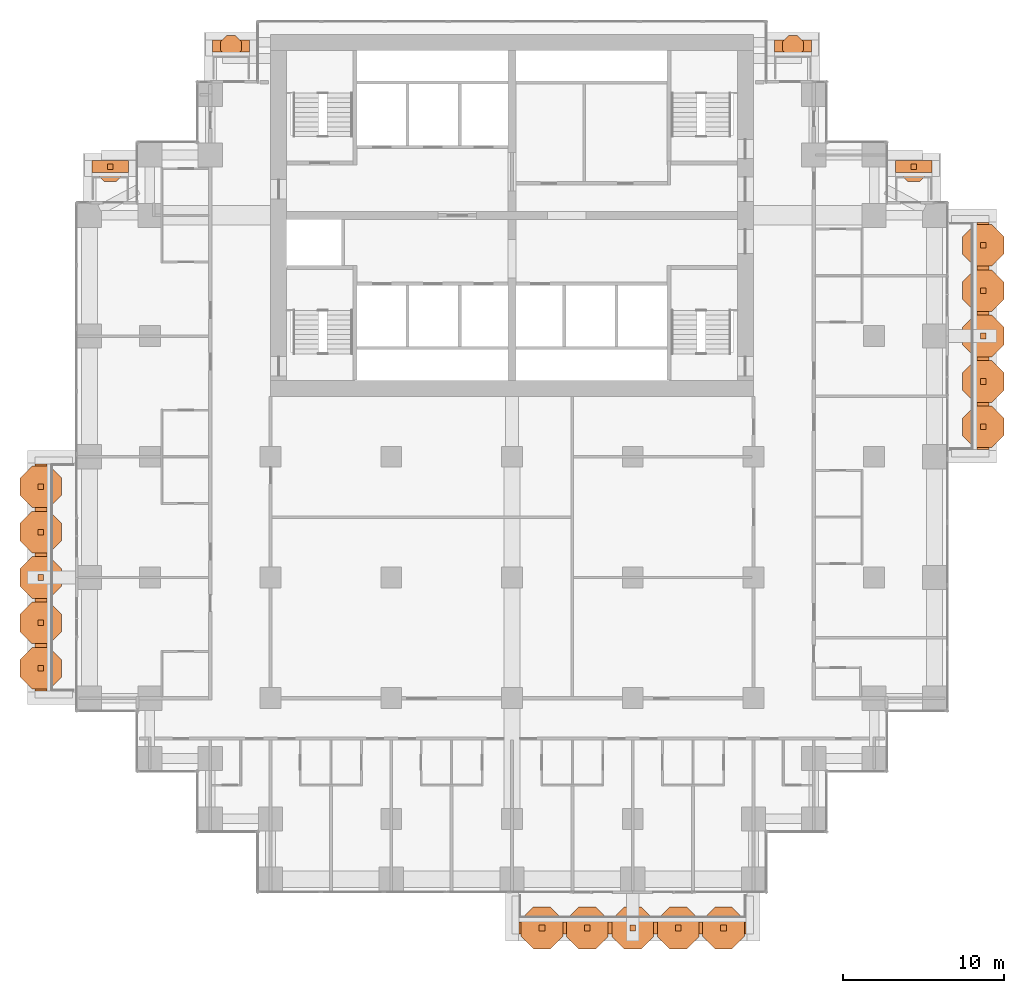
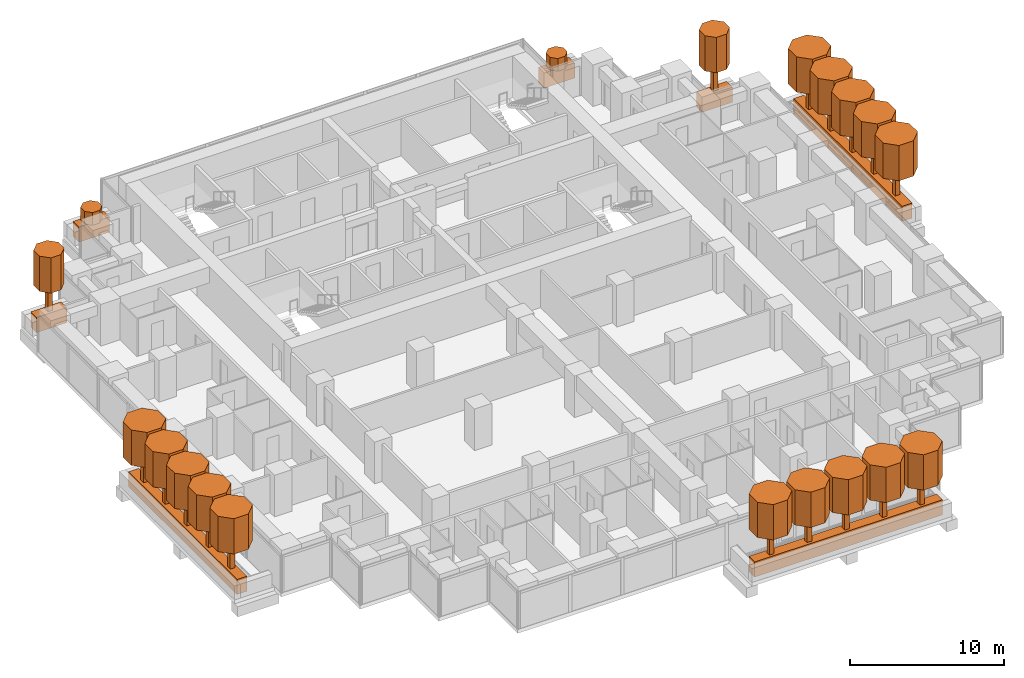
# One storey, part 20 of 20: 43 geographic elements.
"""IFC4 building model written with IfcOpenShell, lengths in metres."""

import ifcopenshell
import ifcopenshell.guid

model = None  # the IFC model being written
_history = None  # IfcOwnerHistory: only IFC2X3 demands one
_inside = {}  # id of a spatial element -> (the spatial element, [elements in it])
_under = {}  # id of a project, library or spatial element -> (it, [spatial elements below it])
_declared = {}  # id of a project -> (the project, [libraries it declares])
_typed = {}  # id of a type object -> (the type object, [elements of that type])
_made_of = {}  # id of a material, layer set ... -> (it, [elements and type objects made of it])


def new_model(schema):
    """Start an empty IFC model of exactly this schema.

    Asked for "IFC4X3", IfcOpenShell would pick the latest addendum, in which some entities
    have other attributes; the version numbers below select the first issue.
    IFC2X3 requires an IfcOwnerHistory on every rooted entity: one is made here for all.
    """
    global model, _history
    if schema == "IFC4X3":
        model = ifcopenshell.file(schema_version=(4, 3, 0, 0))
    else:
        model = ifcopenshell.file(schema=schema)
    _inside.clear()
    _under.clear()
    _declared.clear()
    _typed.clear()
    _made_of.clear()
    _history = None
    if model.schema == "IFC2X3":
        org = make("IfcOrganization", Name="unknown")
        user = make(
            "IfcPersonAndOrganization",
            ThePerson=make("IfcPerson", FamilyName="unknown"),
            TheOrganization=org,
        )
        app = make(
            "IfcApplication",
            ApplicationDeveloper=org,
            Version="unknown",
            ApplicationFullName="unknown",
            ApplicationIdentifier="unknown",
        )
        _history = make(
            "IfcOwnerHistory",
            OwningUser=user,
            OwningApplication=app,
            ChangeAction="ADDED",
            CreationDate=0,
        )
    return model


def make(cls, **values):
    """One entity of the class cls with the attributes given. An attribute that is None is left unset."""
    return model.create_entity(
        cls, **{name: value for name, value in values.items() if value is not None}
    )


def rooted(cls, **values):
    """An entity with a GlobalId (a new one), such as an element, a storey or a relation."""
    return make(cls, GlobalId=ifcopenshell.guid.new(), OwnerHistory=_history, **values)


def si_unit(unit_type, name, prefix=None):
    """IfcSIUnit, for example si_unit("LENGTHUNIT", "METRE", prefix="MILLI")."""
    return make("IfcSIUnit", UnitType=unit_type, Prefix=prefix, Name=name)


def assignment(units):
    """IfcUnitAssignment: the units of a project."""
    return None if units is None else make("IfcUnitAssignment", Units=units)


def point(xyz):
    """IfcCartesianPoint."""
    return None if xyz is None else make("IfcCartesianPoint", Coordinates=xyz)


def direction(xyz):
    """IfcDirection."""
    return None if xyz is None else make("IfcDirection", DirectionRatios=xyz)


def frame(location, z_axis=None, x_axis=None):
    """IfcAxis2Placement3D, a coordinate frame: its origin and axes. An axis left out is left unset."""
    return make(
        "IfcAxis2Placement3D",
        Location=point(location),
        Axis=direction(z_axis),
        RefDirection=direction(x_axis),
    )


def frame_2d(location, x_axis=None):
    """IfcAxis2Placement2D, a coordinate frame in the plane: its origin and x axis."""
    return make(
        "IfcAxis2Placement2D", Location=point(location), RefDirection=direction(x_axis)
    )


def origin():
    """The frame at (0, 0, 0) with its axes left unset."""
    return frame((0.0, 0.0, 0.0))


def origin_2d():
    """The frame at (0, 0) in the plane with its x axis left unset."""
    return frame_2d((0.0, 0.0))


def place(relative_to, where):
    """IfcLocalPlacement: puts the frame where relative to a parent placement (None: the world)."""
    return make(
        "IfcLocalPlacement", PlacementRelTo=relative_to, RelativePlacement=where
    )


def context(
    kind, dimensions, precision=None, world=None, true_north=None, identifier=None
):
    """IfcGeometricRepresentationContext, for example the 3D "Model" context."""
    return make(
        "IfcGeometricRepresentationContext",
        ContextIdentifier=identifier,
        ContextType=kind,
        CoordinateSpaceDimension=dimensions,
        Precision=precision,
        WorldCoordinateSystem=world,
        TrueNorth=true_north,
    )


def subcontext(parent, identifier, kind, view, scale=None):
    """IfcGeometricRepresentationSubContext, for example "Body" below "Model"."""
    return make(
        "IfcGeometricRepresentationSubContext",
        ContextIdentifier=identifier,
        ContextType=kind,
        ParentContext=parent,
        TargetScale=scale,
        TargetView=view,
    )


def project(units=None, contexts=None):
    """IfcProject with its units and contexts."""
    return rooted(
        "IfcProject",
        Name="project",
        RepresentationContexts=contexts,
        UnitsInContext=assignment(units),
    )


def spatial(cls, under=None, at=None, **own):
    """A site, building, storey or space (cls), placed at a placement, below another one or the project."""
    s = rooted(cls, ObjectPlacement=at, **own)
    if under is not None:
        _under.setdefault(under.id(), (under, []))[1].append(s)
    return s


def polyline(points):
    """IfcPolyline through the points."""
    return make("IfcPolyline", Points=[point(p) for p in points])


def profile(cls, at=None, kind="AREA", **sizes):
    """A parametric profile (cls). Its sizes go by their IFC names, for example OverallWidth=200.0."""
    return make(cls, ProfileType=kind, Position=at, **sizes)


def rectangle(**sizes):
    """IfcRectangleProfileDef."""
    return profile("IfcRectangleProfileDef", **sizes)


def outline(outer, holes=None, kind="AREA"):
    """IfcArbitraryClosedProfileDef: a profile drawn as a closed curve; with holes, ...WithVoids."""
    if holes is None:
        return make("IfcArbitraryClosedProfileDef", ProfileType=kind, OuterCurve=outer)
    return make(
        "IfcArbitraryProfileDefWithVoids",
        ProfileType=kind,
        OuterCurve=outer,
        InnerCurves=holes,
    )


def extrude(swept, where, along, depth):
    """IfcExtrudedAreaSolid: the profile swept, set in the frame where, extruded along a direction by depth."""
    return make(
        "IfcExtrudedAreaSolid",
        SweptArea=swept,
        Position=where,
        ExtrudedDirection=direction(along),
        Depth=depth,
    )


def shape(context_of_items, identifier, shape_type, items):
    """IfcShapeRepresentation: the items that make up one representation, for example the "Body"."""
    return make(
        "IfcShapeRepresentation",
        ContextOfItems=context_of_items,
        RepresentationIdentifier=identifier,
        RepresentationType=shape_type,
        Items=items,
    )


def material(Name=None, Category=None):
    """IfcMaterial."""
    return make("IfcMaterial", Name=Name, Category=Category)


def material_profile(
    of_material, cross_section, Name=None, Category=None, Priority=None
):
    """IfcMaterialProfile: a cross section and its material."""
    return make(
        "IfcMaterialProfile",
        Name=Name,
        Material=of_material,
        Profile=cross_section,
        Priority=Priority,
        Category=Category,
    )


def profile_set(profiles, Name=None, composite=None):
    """IfcMaterialProfileSet."""
    return make(
        "IfcMaterialProfileSet",
        Name=Name,
        MaterialProfiles=profiles,
        CompositeProfile=composite,
    )


def made_of(thing, what):
    """Note that an element or type object is made of a material, layer set ...; save() writes the relation."""
    if what is not None:
        _made_of.setdefault(what.id(), (what, []))[1].append(thing)
    return thing


def type_object(cls, material=None, **own):
    """A type object (cls), such as IfcWallType, which elements share."""
    return made_of(rooted(cls, **own), material)


def element(
    cls,
    number,
    at=None,
    inside=None,
    cuts=None,
    type_object=None,
    material=None,
    context=None,
    identifier="Body",
    shape_type=None,
    held_by="IfcProductDefinitionShape",
    body=None,
    shapes=None,
    **own,
):
    """One element of the class cls, such as IfcWall. Its Tag is "e" and its number.

    at: its placement. inside: the storey or other place that contains it. cuts: it is an
    opening in that element (IfcRelVoidsElement). A single representation is given by context,
    identifier, shape_type and body (its items); several are given by shapes. held_by: the class
    of the entity that holds the representations. save() writes the other relations.
    """
    e = rooted(cls, Tag="e%d" % number, ObjectPlacement=at, **own)
    if body is not None:
        shapes = [shape(context, identifier, shape_type, body)]
    if shapes is not None:
        e.Representation = make(held_by, Representations=shapes)
    if inside is not None:
        _inside.setdefault(inside.id(), (inside, []))[1].append(e)
    if cuts is not None:
        rooted(
            "IfcRelVoidsElement", RelatingBuildingElement=cuts, RelatedOpeningElement=e
        )
    if type_object is not None:
        _typed.setdefault(type_object.id(), (type_object, []))[1].append(e)
    return made_of(e, material)


def aggregate(whole, parts):
    """IfcRelAggregates: a whole, such as a stair, and the parts it consists of."""
    return rooted("IfcRelAggregates", RelatingObject=whole, RelatedObjects=parts)


def save(model, path):
    """Write the relations noted so far, then the file.

    IfcRelAggregates (storeys below a building ...), IfcRelContainedInSpatialStructure (elements
    in a storey), IfcRelDefinesByType, IfcRelAssociatesMaterial and IfcRelDeclares: one each for
    every whole, place, type object, material and project.
    """
    for whole, parts in _under.values():
        aggregate(whole, parts)
    for where, things in _inside.values():
        rooted(
            "IfcRelContainedInSpatialStructure",
            RelatedElements=things,
            RelatingStructure=where,
        )
    for kind, things in _typed.values():
        rooted("IfcRelDefinesByType", RelatedObjects=things, RelatingType=kind)
    for what, things in _made_of.values():
        rooted("IfcRelAssociatesMaterial", RelatedObjects=things, RelatingMaterial=what)
    for by, libraries in _declared.values():
        rooted("IfcRelDeclares", RelatingContext=by, RelatedDefinitions=libraries)
    model.write(path)


model = new_model("IFC4")

# Units and contexts
model_context = context("Model", 3, precision=1e-05, world=origin(), true_north=direction((0.0, 1.0)))
body_context = subcontext(model_context, "Body", "Model", "MODEL_VIEW")
ifc_project = project(units=[si_unit("LENGTHUNIT", "METRE"), si_unit("AREAUNIT", "SQUARE_METRE"), si_unit("VOLUMEUNIT", "CUBIC_METRE"), si_unit("PLANEANGLEUNIT", "RADIAN"), si_unit("MASSUNIT", "GRAM", prefix="KILO")], contexts=[model_context])

# Site, building, storey
site_placement = place(None, origin())
site = spatial("IfcSite", under=ifc_project, at=site_placement, CompositionType="ELEMENT")
building_placement = place(site_placement, origin())
building = spatial("IfcBuilding", under=site, at=building_placement, Name="Pilkhan Gate Tower", CompositionType="ELEMENT")
storey_placement = place(building_placement, frame((0.0, 0.0, 98.89990234375)))
storey = spatial("IfcBuildingStorey", under=building, at=storey_placement, Name="L24", CompositionType="ELEMENT", Elevation=98.89990234375)

# Geographic elements
ifc_material_1 = material(Name="Foliage")
ifc_material_profile_1 = material_profile(ifc_material_1, rectangle(XDim=0.75, YDim=1.199951171875, at=origin_2d()), Name="Bed 750x1200")
ifc_profile_set_1 = profile_set([ifc_material_profile_1], Name="Foliage")
geographic_element_type_1 = type_object("IfcGeographicElementType", Name="Planting bed PB1", PredefinedType="USERDEFINED", material=ifc_profile_set_1)
for number, where, z_axis, x_axis, name in (
    (1, (75.449951171875, 38.22509765625, 0.60009765625), (1.0, 0.0, 0.0), (0.0, 1.0, 0.0), "Balcony L24 S planting bed"),
    (2, (104.27490234375, 67.949951171875, 0.60009765625), (0.0, 1.0, 0.0), (-1.0, 0.0, 0.0), "Balcony L24 E planting bed"),
):
    element("IfcGeographicElement", number, at=place(storey_placement, frame(where, z_axis=z_axis, x_axis=x_axis)), inside=storey, type_object=geographic_element_type_1, Name=name, ObjectType="PLANTING BED", PredefinedType="USERDEFINED", context=body_context, shape_type="SweptSolid", body=[
        extrude(rectangle(XDim=0.75, YDim=1.199951171875, at=origin_2d()), origin(), (0.0, 0.0, 1.0), 14.10009765625),
    ])
for number, where, z_axis, x_axis, name in (
    (3, (56.39990234375, 93.02490234375, 0.60009765625), (1.0, 0.0, 0.0), (0.0, 1.0, 0.0), "Balcony L24 N planting bed"),
    (4, (91.300048828125, 93.02490234375, 0.60009765625), (1.0, 0.0, 0.0), (0.0, 1.0, 0.0), "Balcony L24 N planting bed"),
):
    element("IfcGeographicElement", number, at=place(storey_placement, frame(where, z_axis=z_axis, x_axis=x_axis)), inside=storey, type_object=geographic_element_type_1, Name=name, ObjectType="PLANTING BED", PredefinedType="USERDEFINED", context=body_context, shape_type="SweptSolid", body=[
        extrude(rectangle(XDim=0.75, YDim=1.199951171875, at=origin_2d()), origin(), (0.0, 0.0, 1.0), 2.300048828125),
    ])
for number, where, z_axis, x_axis, name in (
    (5, (48.89990234375, 85.52490234375, 0.60009765625), (1.0, 0.0, 0.0), (0.0, 1.0, 0.0), "Balcony L24 N planting bed"),
    (6, (98.820068359375, 85.52490234375, 0.60009765625), (1.0, 0.0, 0.0), (0.0, 1.0, 0.0), "Balcony L24 N planting bed"),
):
    element("IfcGeographicElement", number, at=place(storey_placement, frame(where, z_axis=z_axis, x_axis=x_axis)), inside=storey, type_object=geographic_element_type_1, Name=name, ObjectType="PLANTING BED", PredefinedType="USERDEFINED", context=body_context, shape_type="SweptSolid", body=[
        extrude(rectangle(XDim=0.75, YDim=1.199951171875, at=origin_2d()), origin(), (0.0, 0.0, 1.0), 2.280029296875),
    ])
geographic_element_placement = place(storey_placement, frame((45.72509765625, 52.949951171875, 0.60009765625), z_axis=(0.0, 1.0, 0.0), x_axis=(-1.0, 0.0, 0.0)))
element("IfcGeographicElement", 7, at=geographic_element_placement, inside=storey, type_object=geographic_element_type_1, Name="Balcony L24 W planting bed", ObjectType="PLANTING BED", PredefinedType="USERDEFINED", context=body_context, shape_type="SweptSolid", body=[
    extrude(rectangle(XDim=0.75, YDim=1.199951171875, at=origin_2d()), origin(), (0.0, 0.0, 1.0), 14.10009765625),
])
ifc_material_profile_2 = material_profile(ifc_material_1, outline(polyline([(0.646728515625, 0.267822265625), (0.267822265625, 0.646728515625), (-0.267822265625, 0.646728515625), (-0.646728515625, 0.267822265625), (-0.646728515625, -0.267822265625), (-0.267822265625, -0.646728515625), (0.267822265625, -0.646728515625), (0.646728515625, -0.267822265625), (0.646728515625, 0.267822265625)])), Name="Shrub D1.4")
ifc_profile_set_2 = profile_set([ifc_material_profile_2], Name="Foliage")
geographic_element_type_2 = type_object("IfcGeographicElementType", Name="Shrub SH07", PredefinedType="USERDEFINED", material=ifc_profile_set_2)
for number, where, z_axis, x_axis, name in (
    (8, (57.550048828125, 93.02490234375, 1.2001953125), (0.0, 0.0, 1.0), (1.0, 0.0, 0.0), "Shrub L24 N 1"),
    (9, (92.449951171875, 93.02490234375, 1.2001953125), (0.0, 0.0, 1.0), (1.0, 0.0, 0.0), "Shrub L24 N 1"),
):
    element("IfcGeographicElement", number, at=place(storey_placement, frame(where, z_axis=z_axis, x_axis=x_axis)), inside=storey, type_object=geographic_element_type_2, Name=name, ObjectType="SHRUB", PredefinedType="USERDEFINED", context=body_context, shape_type="SweptSolid", body=[
        extrude(outline(polyline([(0.646728515625, 0.267822265625), (0.267822265625, 0.646728515625), (-0.267822265625, 0.646728515625), (-0.646728515625, 0.267822265625), (-0.646728515625, -0.267822265625), (-0.267822265625, -0.646728515625), (0.267822265625, -0.646728515625), (0.646728515625, -0.267822265625), (0.646728515625, 0.267822265625)])), origin(), (0.0, 0.0, 1.0), 1.0),
    ])
ifc_material_profile_3 = material_profile(ifc_material_1, outline(polyline([(0.923828125, 0.3828125), (0.3828125, 0.923828125), (-0.3828125, 0.923828125), (-0.923828125, 0.3828125), (-0.923828125, -0.3828125), (-0.3828125, -0.923828125), (0.3828125, -0.923828125), (0.923828125, -0.3828125), (0.923828125, 0.3828125)])), Name="Canopy D2.0")
ifc_profile_set_3 = profile_set([ifc_material_profile_3], Name="Foliage")
geographic_element_type_3 = type_object("IfcGeographicElementType", Name="Tree canopy TC10", PredefinedType="USERDEFINED", material=ifc_profile_set_3)
for number, where, z_axis, x_axis, name in (
    (10, (50.0400390625, 85.52490234375, 3.2001953125), (0.0, 0.0, 1.0), (1.0, 0.0, 0.0), "Tree L24 N 1 canopy"),
    (11, (99.9599609375, 85.52490234375, 3.2001953125), (0.0, 0.0, 1.0), (1.0, 0.0, 0.0), "Tree L24 N 1 canopy"),
):
    element("IfcGeographicElement", number, at=place(storey_placement, frame(where, z_axis=z_axis, x_axis=x_axis)), inside=storey, type_object=geographic_element_type_3, Name=name, ObjectType="TREE", PredefinedType="USERDEFINED", context=body_context, shape_type="SweptSolid", body=[
        extrude(outline(polyline([(0.923828125, 0.3828125), (0.3828125, 0.923828125), (-0.3828125, 0.923828125), (-0.923828125, 0.3828125), (-0.923828125, -0.3828125), (-0.3828125, -0.923828125), (0.3828125, -0.923828125), (0.923828125, -0.3828125), (0.923828125, 0.3828125)])), origin(), (0.0, 0.0, 1.0), 2.7998046875),
    ])
ifc_material_profile_4 = material_profile(ifc_material_1, outline(polyline([(1.29345703125, 0.535888671875), (0.535888671875, 1.29345703125), (-0.535888671875, 1.29345703125), (-1.29345703125, 0.535888671875), (-1.29345703125, -0.535888671875), (-0.535888671875, -1.29345703125), (0.535888671875, -1.29345703125), (1.29345703125, -0.535888671875), (1.29345703125, 0.535888671875)])), Name="Canopy D2.8")
ifc_profile_set_4 = profile_set([ifc_material_profile_4], Name="Foliage")
geographic_element_type_4 = type_object("IfcGeographicElementType", Name="Tree canopy TC14", PredefinedType="USERDEFINED", material=ifc_profile_set_4)
for number, where, z_axis, x_axis, name in (
    (12, (76.860107421875, 38.22509765625, 3.2001953125), (0.0, 0.0, 1.0), (1.0, 0.0, 0.0), "Tree L24 S 1 canopy"),
    (13, (79.679931640625, 38.22509765625, 3.2001953125), (0.0, 0.0, 1.0), (1.0, 0.0, 0.0), "Tree L24 S 2 canopy"),
    (14, (82.5, 38.22509765625, 3.2001953125), (0.0, 0.0, 1.0), (1.0, 0.0, 0.0), "Tree L24 S 3 canopy"),
    (15, (85.320068359375, 38.22509765625, 3.2001953125), (0.0, 0.0, 1.0), (1.0, 0.0, 0.0), "Tree L24 S 4 canopy"),
    (16, (88.139892578125, 38.22509765625, 3.2001953125), (0.0, 0.0, 1.0), (1.0, 0.0, 0.0), "Tree L24 S 5 canopy"),
    (17, (104.27490234375, 69.360107421875, 3.2001953125), (0.0, 0.0, 1.0), (1.0, 0.0, 0.0), "Tree L24 E 1 canopy"),
    (18, (104.27490234375, 72.179931640625, 3.2001953125), (0.0, 0.0, 1.0), (1.0, 0.0, 0.0), "Tree L24 E 2 canopy"),
    (19, (104.27490234375, 75.0, 3.2001953125), (0.0, 0.0, 1.0), (1.0, 0.0, 0.0), "Tree L24 E 3 canopy"),
    (20, (104.27490234375, 77.820068359375, 3.2001953125), (0.0, 0.0, 1.0), (1.0, 0.0, 0.0), "Tree L24 E 4 canopy"),
    (21, (104.27490234375, 80.639892578125, 3.2001953125), (0.0, 0.0, 1.0), (1.0, 0.0, 0.0), "Tree L24 E 5 canopy"),
    (22, (45.72509765625, 54.360107421875, 3.2001953125), (0.0, 0.0, 1.0), (1.0, 0.0, 0.0), "Tree L24 W 1 canopy"),
    (23, (45.72509765625, 57.179931640625, 3.2001953125), (0.0, 0.0, 1.0), (1.0, 0.0, 0.0), "Tree L24 W 2 canopy"),
    (24, (45.72509765625, 60.0, 3.2001953125), (0.0, 0.0, 1.0), (1.0, 0.0, 0.0), "Tree L24 W 3 canopy"),
    (25, (45.72509765625, 62.820068359375, 3.2001953125), (0.0, 0.0, 1.0), (1.0, 0.0, 0.0), "Tree L24 W 4 canopy"),
    (26, (45.72509765625, 65.639892578125, 3.2001953125), (0.0, 0.0, 1.0), (1.0, 0.0, 0.0), "Tree L24 W 5 canopy"),
):
    element("IfcGeographicElement", number, at=place(storey_placement, frame(where, z_axis=z_axis, x_axis=x_axis)), inside=storey, type_object=geographic_element_type_4, Name=name, ObjectType="TREE", PredefinedType="USERDEFINED", context=body_context, shape_type="SweptSolid", body=[
        extrude(outline(polyline([(1.29345703125, 0.535888671875), (0.535888671875, 1.29345703125), (-0.535888671875, 1.29345703125), (-1.29345703125, 0.535888671875), (-1.29345703125, -0.535888671875), (-0.535888671875, -1.29345703125), (0.535888671875, -1.29345703125), (1.29345703125, -0.535888671875), (1.29345703125, 0.535888671875)])), origin(), (0.0, 0.0, 1.0), 2.7998046875),
    ])
ifc_material_2 = material(Name="Timber trunk", Category="wood")
geographic_element_type_5 = type_object("IfcGeographicElementType", Name="Tree trunk TT1", PredefinedType="USERDEFINED", material=ifc_material_2)
for number, where, z_axis, x_axis, name in (
    (27, (76.860107421875, 38.22509765625, 1.2001953125), (0.0, 0.0, 1.0), (1.0, 0.0, 0.0), "Tree L24 S 1 trunk"),
    (28, (79.679931640625, 38.22509765625, 1.2001953125), (0.0, 0.0, 1.0), (1.0, 0.0, 0.0), "Tree L24 S 2 trunk"),
    (29, (82.5, 38.22509765625, 1.2001953125), (0.0, 0.0, 1.0), (1.0, 0.0, 0.0), "Tree L24 S 3 trunk"),
    (30, (85.320068359375, 38.22509765625, 1.2001953125), (0.0, 0.0, 1.0), (1.0, 0.0, 0.0), "Tree L24 S 4 trunk"),
    (31, (88.139892578125, 38.22509765625, 1.2001953125), (0.0, 0.0, 1.0), (1.0, 0.0, 0.0), "Tree L24 S 5 trunk"),
    (32, (104.27490234375, 69.360107421875, 1.2001953125), (0.0, 0.0, 1.0), (1.0, 0.0, 0.0), "Tree L24 E 1 trunk"),
    (33, (104.27490234375, 72.179931640625, 1.2001953125), (0.0, 0.0, 1.0), (1.0, 0.0, 0.0), "Tree L24 E 2 trunk"),
    (34, (104.27490234375, 75.0, 1.2001953125), (0.0, 0.0, 1.0), (1.0, 0.0, 0.0), "Tree L24 E 3 trunk"),
    (35, (104.27490234375, 77.820068359375, 1.2001953125), (0.0, 0.0, 1.0), (1.0, 0.0, 0.0), "Tree L24 E 4 trunk"),
    (36, (104.27490234375, 80.639892578125, 1.2001953125), (0.0, 0.0, 1.0), (1.0, 0.0, 0.0), "Tree L24 E 5 trunk"),
    (37, (50.0400390625, 85.52490234375, 1.2001953125), (0.0, 0.0, 1.0), (1.0, 0.0, 0.0), "Tree L24 N 1 trunk"),
    (38, (99.9599609375, 85.52490234375, 1.2001953125), (0.0, 0.0, 1.0), (1.0, 0.0, 0.0), "Tree L24 N 1 trunk"),
    (39, (45.72509765625, 54.360107421875, 1.2001953125), (0.0, 0.0, 1.0), (1.0, 0.0, 0.0), "Tree L24 W 1 trunk"),
    (40, (45.72509765625, 57.179931640625, 1.2001953125), (0.0, 0.0, 1.0), (1.0, 0.0, 0.0), "Tree L24 W 2 trunk"),
    (41, (45.72509765625, 60.0, 1.2001953125), (0.0, 0.0, 1.0), (1.0, 0.0, 0.0), "Tree L24 W 3 trunk"),
    (42, (45.72509765625, 62.820068359375, 1.2001953125), (0.0, 0.0, 1.0), (1.0, 0.0, 0.0), "Tree L24 W 4 trunk"),
    (43, (45.72509765625, 65.639892578125, 1.2001953125), (0.0, 0.0, 1.0), (1.0, 0.0, 0.0), "Tree L24 W 5 trunk"),
):
    element("IfcGeographicElement", number, at=place(storey_placement, frame(where, z_axis=z_axis, x_axis=x_axis)), inside=storey, type_object=geographic_element_type_5, Name=name, ObjectType="TREE", PredefinedType="USERDEFINED", context=body_context, shape_type="SweptSolid", body=[
        extrude(rectangle(XDim=0.35009765625, YDim=0.35009765625, at=origin_2d()), origin(), (0.0, 0.0, 1.0), 2.0),
    ])

save(model, "model.ifc")
